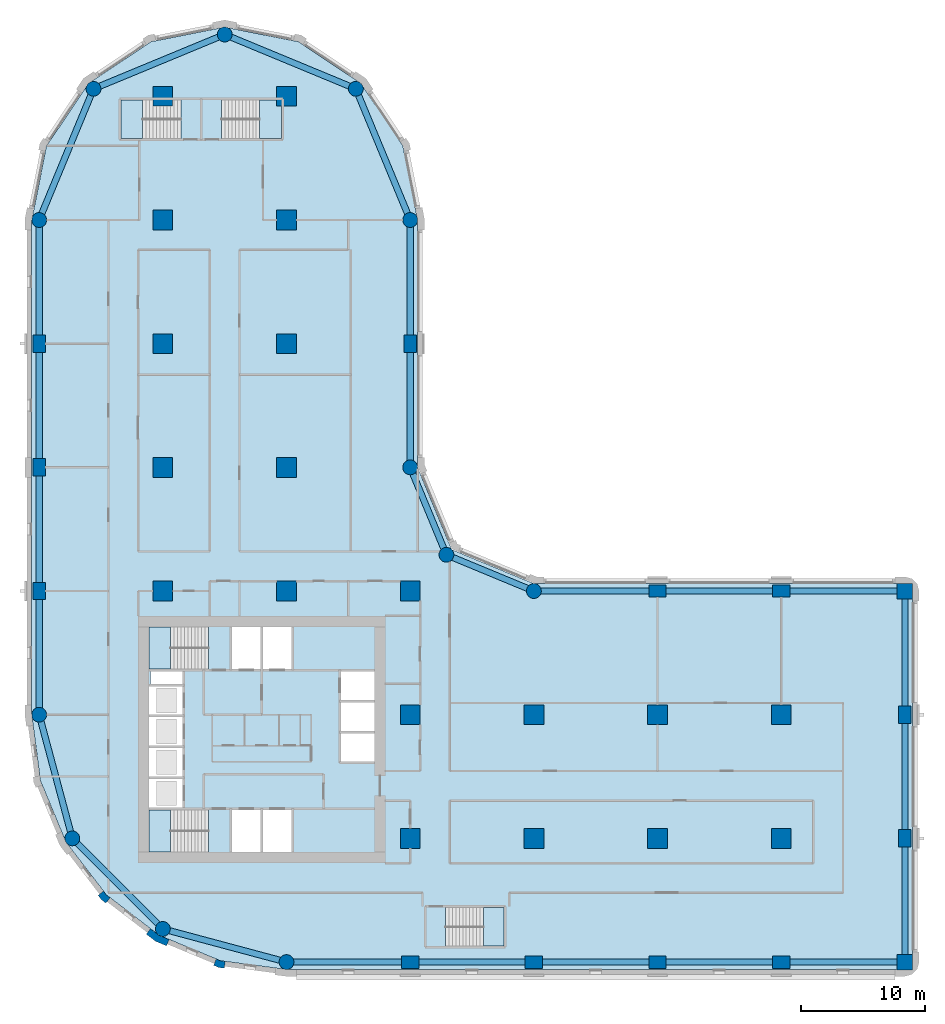
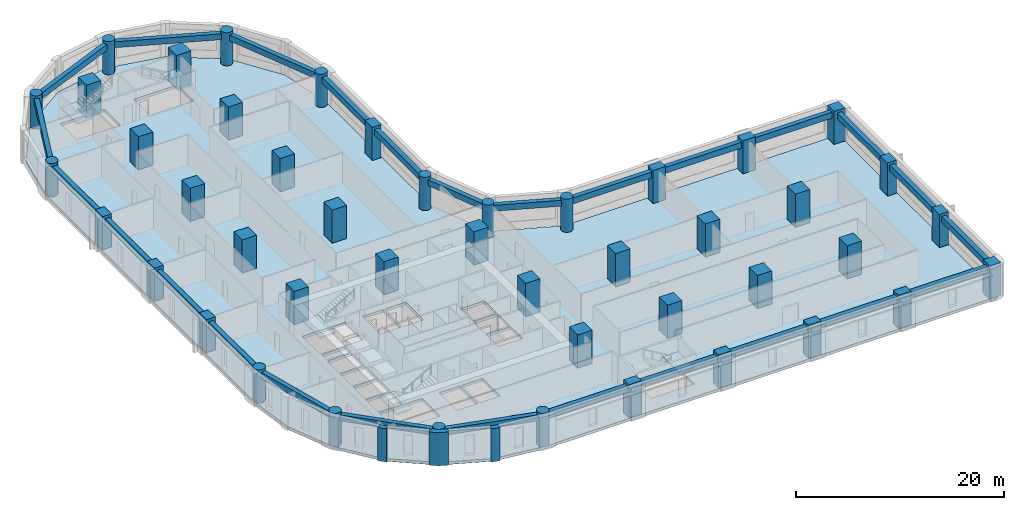
# One storey, part 1 of 10: 45 columns, 26 beams, 6 slabs, 3 walls, 5 elements without a shape of their own.
"""IFC4 building model written with IfcOpenShell, lengths in metres."""

from ifc_helpers import new_model, si_unit, direction, frame, origin, origin_2d, place, context, subcontext, project, spatial, polyline, rectangle, circle, outline, extrude, material, layer, layer_set, material_profile, profile_set, type_object, element, aggregate, save


model = new_model("IFC4")

# Units and contexts
model_context = context("Model", 3, precision=1e-05, world=origin(), true_north=direction((0.0, 1.0)))
body_context = subcontext(model_context, "Body", "Model", "MODEL_VIEW")
ifc_project = project(units=[si_unit("LENGTHUNIT", "METRE"), si_unit("AREAUNIT", "SQUARE_METRE"), si_unit("VOLUMEUNIT", "CUBIC_METRE"), si_unit("PLANEANGLEUNIT", "RADIAN"), si_unit("MASSUNIT", "GRAM", prefix="KILO")], contexts=[model_context])

# Site, building, storey
site_placement = place(None, origin())
site = spatial("IfcSite", under=ifc_project, at=site_placement, CompositionType="ELEMENT")
building_placement = place(site_placement, origin())
building = spatial("IfcBuilding", under=site, at=building_placement, Name="Qaws Garden Tower", CompositionType="ELEMENT")
storey_placement = place(building_placement, frame((0.0, 0.0, 15.89990234375)))
storey = spatial("IfcBuildingStorey", under=building, at=storey_placement, Name="L03", CompositionType="ELEMENT", Elevation=15.89990234375)

# Columns
ifc_material_1 = material(Name="Concrete C80", Category="concrete")
ifc_material_profile_1 = material_profile(ifc_material_1, rectangle(XDim=1.25, YDim=1.25, at=origin_2d()), Name="RC 1250x1250")
ifc_profile_set_1 = profile_set([ifc_material_profile_1], Name="Concrete C80")
column_type_1 = type_object("IfcColumnType", Name="Column RC 1250x1250 C80", PredefinedType="COLUMN", material=ifc_profile_set_1)
for number, where, z_axis, x_axis, name in (
    (1, (70.0, 0.0, 0.0), (0.0, 0.0, 1.0), (1.0, 0.0, 0.0), "Column L03-006"),
    (2, (70.0, 30.0, 0.0), (0.0, 0.0, 1.0), (1.0, 0.0, 0.0), "Column L03-009"),
):
    element("IfcColumn", number, at=place(storey_placement, frame(where, z_axis=z_axis, x_axis=x_axis)), inside=storey, type_object=column_type_1, Name=name, PredefinedType="COLUMN", context=body_context, shape_type="SweptSolid", body=[
        extrude(rectangle(XDim=1.25, YDim=1.25, at=origin_2d()), origin(), (0.0, 0.0, 1.0), 3.900146484375),
    ])
ifc_material_2 = material(Name="Concrete C80", Category="concrete")
ifc_material_profile_2 = material_profile(ifc_material_2, rectangle(XDim=1.39990234375, YDim=1.0, at=origin_2d()), Name="RC 1400x1000")
ifc_profile_set_2 = profile_set([ifc_material_profile_2], Name="Concrete C80")
column_type_2 = type_object("IfcColumnType", Name="Column RC 1400x1000 C80", PredefinedType="COLUMN", material=ifc_profile_set_2)
for number, where, z_axis, x_axis, name in (
    (3, (30.0, 0.0, 0.0), (0.0, 0.0, 1.0), (1.0, 0.0, 0.0), "Column L03-002"),
    (4, (40.0, 0.0, 0.0), (0.0, 0.0, 1.0), (1.0, 0.0, 0.0), "Column L03-003"),
    (5, (50.0, 0.0, 0.0), (0.0, 0.0, 1.0), (1.0, 0.0, 0.0), "Column L03-004"),
    (6, (60.0, 0.0, 0.0), (0.0, 0.0, 1.0), (1.0, 0.0, 0.0), "Column L03-005"),
    (7, (70.0, 10.0, 0.0), (0.0, 0.0, 1.0), (0.0, 1.0, 0.0), "Column L03-007"),
    (8, (70.0, 20.0, 0.0), (0.0, 0.0, 1.0), (0.0, 1.0, 0.0), "Column L03-008"),
    (9, (60.0, 30.0, 0.0), (0.0, 0.0, 1.0), (1.0, 0.0, 0.0), "Column L03-010"),
    (10, (50.0, 30.0, 0.0), (0.0, 0.0, 1.0), (1.0, 0.0, 0.0), "Column L03-011"),
    (11, (30.0, 50.0, 0.0), (0.0, 0.0, 1.0), (0.0, 1.0, 0.0), "Column L03-015"),
    (12, (0.0, 50.0, 0.0), (0.0, 0.0, 1.0), (0.0, 1.0, 0.0), "Column L03-021"),
    (13, (0.0, 40.0, 0.0), (0.0, 0.0, 1.0), (0.0, 1.0, 0.0), "Column L03-022"),
    (14, (0.0, 30.0, 0.0), (0.0, 0.0, 1.0), (0.0, 1.0, 0.0), "Column L03-023"),
):
    element("IfcColumn", number, at=place(storey_placement, frame(where, z_axis=z_axis, x_axis=x_axis)), inside=storey, type_object=column_type_2, Name=name, PredefinedType="COLUMN", context=body_context, shape_type="SweptSolid", body=[
        extrude(rectangle(XDim=1.39990234375, YDim=1.0, at=origin_2d()), origin(), (0.0, 0.0, 1.0), 3.900146484375),
    ])
ifc_material_3 = material(Name="Concrete C80", Category="concrete")
ifc_material_profile_3 = material_profile(ifc_material_3, rectangle(XDim=1.60009765625, YDim=1.60009765625, at=origin_2d()), Name="RC 1600x1600")
ifc_profile_set_3 = profile_set([ifc_material_profile_3], Name="Concrete C80")
column_type_3 = type_object("IfcColumnType", Name="Column RC 1600x1600 C80", PredefinedType="COLUMN", material=ifc_profile_set_3)
for number, where, z_axis, x_axis, name in (
    (15, (10.0, 30.0, 0.0), (0.0, 0.0, 1.0), (1.0, 0.0, 0.0), "Column L03-027"),
    (16, (10.0, 40.0, 0.0), (0.0, 0.0, 1.0), (1.0, 0.0, 0.0), "Column L03-028"),
    (17, (10.0, 50.0, 0.0), (0.0, 0.0, 1.0), (1.0, 0.0, 0.0), "Column L03-029"),
    (18, (10.0, 60.0, 0.0), (0.0, 0.0, 1.0), (1.0, 0.0, 0.0), "Column L03-030"),
    (19, (10.0, 70.0, 0.0), (0.0, 0.0, 1.0), (1.0, 0.0, 0.0), "Column L03-031"),
    (20, (20.0, 30.0, 0.0), (0.0, 0.0, 1.0), (1.0, 0.0, 0.0), "Column L03-032"),
    (21, (20.0, 40.0, 0.0), (0.0, 0.0, 1.0), (1.0, 0.0, 0.0), "Column L03-033"),
    (22, (20.0, 50.0, 0.0), (0.0, 0.0, 1.0), (1.0, 0.0, 0.0), "Column L03-034"),
    (23, (20.0, 60.0, 0.0), (0.0, 0.0, 1.0), (1.0, 0.0, 0.0), "Column L03-035"),
    (24, (20.0, 70.0, 0.0), (0.0, 0.0, 1.0), (1.0, 0.0, 0.0), "Column L03-036"),
    (25, (30.0, 10.0, 0.0), (0.0, 0.0, 1.0), (1.0, 0.0, 0.0), "Column L03-037"),
    (26, (30.0, 20.0, 0.0), (0.0, 0.0, 1.0), (1.0, 0.0, 0.0), "Column L03-038"),
    (27, (30.0, 30.0, 0.0), (0.0, 0.0, 1.0), (1.0, 0.0, 0.0), "Column L03-039"),
    (28, (40.0, 10.0, 0.0), (0.0, 0.0, 1.0), (1.0, 0.0, 0.0), "Column L03-040"),
    (29, (40.0, 20.0, 0.0), (0.0, 0.0, 1.0), (1.0, 0.0, 0.0), "Column L03-041"),
    (30, (50.0, 10.0, 0.0), (0.0, 0.0, 1.0), (1.0, 0.0, 0.0), "Column L03-042"),
    (31, (50.0, 20.0, 0.0), (0.0, 0.0, 1.0), (1.0, 0.0, 0.0), "Column L03-043"),
    (32, (60.0, 10.0, 0.0), (0.0, 0.0, 1.0), (1.0, 0.0, 0.0), "Column L03-044"),
    (33, (60.0, 20.0, 0.0), (0.0, 0.0, 1.0), (1.0, 0.0, 0.0), "Column L03-045"),
):
    element("IfcColumn", number, at=place(storey_placement, frame(where, z_axis=z_axis, x_axis=x_axis)), inside=storey, type_object=column_type_3, Name=name, PredefinedType="COLUMN", context=body_context, shape_type="SweptSolid", body=[
        extrude(rectangle(XDim=1.60009765625, YDim=1.60009765625, at=origin_2d()), origin(), (0.0, 0.0, 1.0), 3.900146484375),
    ])
ifc_material_4 = material(Name="Concrete C80", Category="concrete")
ifc_material_profile_4 = material_profile(ifc_material_4, circle(Radius=0.60009765625, at=origin_2d()), Name="RC D1200")
ifc_profile_set_4 = profile_set([ifc_material_profile_4], Name="Concrete C80")
column_type_4 = type_object("IfcColumnType", Name="Column RC D1200 C80", PredefinedType="COLUMN", material=ifc_profile_set_4)
for number, where, z_axis, x_axis, name in (
    (34, (20.0, 0.0, 0.0), (0.0, 0.0, 1.0), (1.0, 0.0, 0.0), "Column L03-001"),
    (35, (40.0, 30.0, 0.0), (0.0, 0.0, 1.0), (1.0, 0.0, 0.0), "Column L03-012"),
    (36, (32.928955078125, 32.928955078125, 0.0), (0.0, 0.0, 1.0), (1.0, 0.0, 0.0), "Column L03-013"),
    (37, (30.0, 40.0, 0.0), (0.0, 0.0, 1.0), (1.0, 0.0, 0.0), "Column L03-014"),
    (38, (30.0, 60.0, 0.0), (0.0, 0.0, 1.0), (1.0, 0.0, 0.0), "Column L03-016"),
    (39, (25.606689453125, 70.606689453125, 0.0), (0.0, 0.0, 1.0), (1.0, 0.0, 0.0), "Column L03-017"),
    (40, (15.0, 75.0, 0.0), (0.0, 0.0, 1.0), (1.0, 0.0, 0.0), "Column L03-018"),
    (41, (4.393310546875, 70.606689453125, 0.0), (0.0, 0.0, 1.0), (1.0, 0.0, 0.0), "Column L03-019"),
    (42, (0.0, 60.0, 0.0), (0.0, 0.0, 1.0), (1.0, 0.0, 0.0), "Column L03-020"),
    (43, (0.0, 20.0, 0.0), (0.0, 0.0, 1.0), (1.0, 0.0, 0.0), "Column L03-024"),
    (44, (2.679443359375, 10.0, 0.0), (0.0, 0.0, 1.0), (1.0, 0.0, 0.0), "Column L03-025"),
    (45, (10.0, 2.679443359375, 0.0), (0.0, 0.0, 1.0), (1.0, 0.0, 0.0), "Column L03-026"),
):
    element("IfcColumn", number, at=place(storey_placement, frame(where, z_axis=z_axis, x_axis=x_axis)), inside=storey, type_object=column_type_4, Name=name, PredefinedType="COLUMN", context=body_context, shape_type="SweptSolid", body=[
        extrude(circle(Radius=0.60009765625, at=origin_2d()), origin(), (0.0, 0.0, 1.0), 3.900146484375),
    ])

# Beams
ifc_material_5 = material(Name="Concrete C45", Category="concrete")
ifc_material_profile_5 = material_profile(ifc_material_5, rectangle(XDim=0.5, YDim=0.699951171875, at=origin_2d()), Name="RC 500x700")
ifc_profile_set_5 = profile_set([ifc_material_profile_5], Name="Concrete C45")
beam_type = type_object("IfcBeamType", Name="Spandrel beam RC 500x700 C45", PredefinedType="SPANDREL", material=ifc_profile_set_5)
for number, where, z_axis, x_axis, name in (
    (46, (20.0, 0.0, 3.22998046875), (1.0, 0.0, 0.0), (0.0, 1.0, 0.0), "Spandrel beam L03-001"),
    (47, (30.0, 0.0, 3.22998046875), (1.0, 0.0, 0.0), (0.0, 1.0, 0.0), "Spandrel beam L03-002"),
    (48, (40.0, 0.0, 3.22998046875), (1.0, 0.0, 0.0), (0.0, 1.0, 0.0), "Spandrel beam L03-003"),
    (49, (50.0, 0.0, 3.22998046875), (1.0, 0.0, 0.0), (0.0, 1.0, 0.0), "Spandrel beam L03-004"),
    (50, (60.0, 0.0, 3.22998046875), (1.0, 0.0, 0.0), (0.0, 1.0, 0.0), "Spandrel beam L03-005"),
    (51, (70.0, 0.0, 3.22998046875), (0.0, 1.0, 0.0), (-1.0, 0.0, 0.0), "Spandrel beam L03-006"),
    (52, (70.0, 10.0, 3.22998046875), (0.0, 1.0, 0.0), (-1.0, 0.0, 0.0), "Spandrel beam L03-007"),
    (53, (70.0, 20.0, 3.22998046875), (0.0, 1.0, 0.0), (-1.0, 0.0, 0.0), "Spandrel beam L03-008"),
    (54, (70.0, 30.0, 3.22998046875), (-1.0, 0.0, 0.0), (0.0, -1.0, 0.0), "Spandrel beam L03-009"),
    (55, (60.0, 30.0, 3.22998046875), (-1.0, 0.0, 0.0), (0.0, -1.0, 0.0), "Spandrel beam L03-010"),
    (56, (50.0, 30.0, 3.22998046875), (-1.0, 0.0, 0.0), (0.0, -1.0, 0.0), "Spandrel beam L03-011"),
):
    element("IfcBeam", number, at=place(storey_placement, frame(where, z_axis=z_axis, x_axis=x_axis)), inside=storey, type_object=beam_type, Name=name, PredefinedType="SPANDREL", context=body_context, shape_type="SweptSolid", body=[
        extrude(rectangle(XDim=0.5, YDim=0.699951171875, at=origin_2d()), origin(), (0.0, 0.0, 1.0), 10.0),
    ])
for number, where, z_axis, x_axis, name in (
    (57, (40.0, 30.0, 3.22998046875), (-0.923878037141, 0.382687042488, 0.0), (-0.382687042488, -0.923878037141, 0.0), "Spandrel beam L03-012"),
    (58, (32.928955078125, 32.928955078125, 3.22998046875), (-0.382687042488, 0.923878037141, 0.0), (-0.923878037141, -0.382687042488, 0.0), "Spandrel beam L03-013"),
):
    element("IfcBeam", number, at=place(storey_placement, frame(where, z_axis=z_axis, x_axis=x_axis)), inside=storey, type_object=beam_type, Name=name, PredefinedType="SPANDREL", context=body_context, shape_type="SweptSolid", body=[
        extrude(rectangle(XDim=0.5, YDim=0.699951171875, at=origin_2d()), origin(), (0.0, 0.0, 1.0), 7.653564453125),
    ])
for number, where, z_axis, x_axis, name in (
    (59, (30.0, 40.0, 3.22998046875), (0.0, 1.0, 0.0), (-1.0, 0.0, 0.0), "Spandrel beam L03-014"),
    (60, (30.0, 50.0, 3.22998046875), (0.0, 1.0, 0.0), (-1.0, 0.0, 0.0), "Spandrel beam L03-015"),
):
    element("IfcBeam", number, at=place(storey_placement, frame(where, z_axis=z_axis, x_axis=x_axis)), inside=storey, type_object=beam_type, Name=name, PredefinedType="SPANDREL", context=body_context, shape_type="SweptSolid", body=[
        extrude(rectangle(XDim=0.5, YDim=0.699951171875, at=origin_2d()), origin(), (0.0, 0.0, 1.0), 10.0),
    ])
for number, where, z_axis, x_axis, name in (
    (61, (30.0, 60.0, 3.22998046875), (-0.382674207535, 0.923883353507, 0.0), (-0.923883353507, -0.382674207535, 0.0), "Spandrel beam L03-016"),
    (62, (25.606689453125, 70.606689453125, 3.22998046875), (-0.923883353507, 0.382674207535, 0.0), (-0.382674207535, -0.923883353507, 0.0), "Spandrel beam L03-017"),
    (63, (15.0, 75.0, 3.22998046875), (-0.923883353507, -0.382674207535, 0.0), (0.382674207535, -0.923883353507, 0.0), "Spandrel beam L03-018"),
    (64, (4.393310546875, 70.606689453125, 3.22998046875), (-0.382674207535, -0.923883353507, 0.0), (0.923883353507, -0.382674207535, 0.0), "Spandrel beam L03-019"),
):
    element("IfcBeam", number, at=place(storey_placement, frame(where, z_axis=z_axis, x_axis=x_axis)), inside=storey, type_object=beam_type, Name=name, PredefinedType="SPANDREL", context=body_context, shape_type="SweptSolid", body=[
        extrude(rectangle(XDim=0.5, YDim=0.699951171875, at=origin_2d()), origin(), (0.0, 0.0, 1.0), 11.48046875),
    ])
for number, where, z_axis, x_axis, name in (
    (65, (0.0, 60.0, 3.22998046875), (0.0, -1.0, 0.0), (1.0, 0.0, 0.0), "Spandrel beam L03-020"),
    (66, (0.0, 50.0, 3.22998046875), (0.0, -1.0, 0.0), (1.0, 0.0, 0.0), "Spandrel beam L03-021"),
    (67, (0.0, 40.0, 3.22998046875), (0.0, -1.0, 0.0), (1.0, 0.0, 0.0), "Spandrel beam L03-022"),
    (68, (0.0, 30.0, 3.22998046875), (0.0, -1.0, 0.0), (1.0, 0.0, 0.0), "Spandrel beam L03-023"),
):
    element("IfcBeam", number, at=place(storey_placement, frame(where, z_axis=z_axis, x_axis=x_axis)), inside=storey, type_object=beam_type, Name=name, PredefinedType="SPANDREL", context=body_context, shape_type="SweptSolid", body=[
        extrude(rectangle(XDim=0.5, YDim=0.699951171875, at=origin_2d()), origin(), (0.0, 0.0, 1.0), 10.0),
    ])
for number, where, z_axis, x_axis, name in (
    (69, (0.0, 20.0, 3.22998046875), (0.25881466832, -0.965926999034, 0.0), (0.965926999034, 0.25881466832, 0.0), "Spandrel beam L03-024"),
    (70, (2.679443359375, 10.0, 3.22998046875), (0.707106781187, -0.707106781187, 0.0), (0.707106781187, 0.707106781187, 0.0), "Spandrel beam L03-025"),
    (71, (10.0, 2.679443359375, 3.22998046875), (0.965926999034, -0.25881466832, 0.0), (0.25881466832, 0.965926999034, 0.0), "Spandrel beam L03-026"),
):
    element("IfcBeam", number, at=place(storey_placement, frame(where, z_axis=z_axis, x_axis=x_axis)), inside=storey, type_object=beam_type, Name=name, PredefinedType="SPANDREL", context=body_context, shape_type="SweptSolid", body=[
        extrude(rectangle(XDim=0.5, YDim=0.699951171875, at=origin_2d()), origin(), (0.0, 0.0, 1.0), 10.352783203125),
    ])

# Slab
ifc_material_6 = material(Name="Concrete C40", Category="concrete")
ifc_layer_1 = layer(ifc_material_6, 0.320068359375)
ifc_layer_set_1 = layer_set([ifc_layer_1], Name="Concrete C40")
slab_type_1 = type_object("IfcSlabType", Name="Floor slab 320 C40", PredefinedType="FLOOR", material=ifc_layer_set_1)
slab_1_placement = place(storey_placement, frame((0.0, 0.0, -0.31982421875)))
element("IfcSlab", 72, at=slab_1_placement, inside=storey, type_object=slab_type_1, Name="Floor slab L03", PredefinedType="FLOOR", context=body_context, shape_type="SweptSolid", body=[
    extrude(outline(polyline([(0.101806640625, 14.668212890625), (-0.60009765625, 20.0), (-0.60009765625, 30.60009765625), (-0.60009765625, 60.0), (-0.60009765625, 60.0), (0.58740234375, 65.969970703125), (3.968994140625, 71.031005859375), (9.030029296875, 74.41259765625), (15.0, 75.60009765625), (20.969970703125, 74.41259765625), (26.031005859375, 71.031005859375), (29.41259765625, 65.969970703125), (30.60009765625, 60.0), (30.60009765625, 40.0), (33.353271484375, 33.353271484375), (40.0, 30.60009765625), (70.0, 30.60009765625), (70.42431640625, 30.42431640625), (70.60009765625, 30.0), (70.60009765625, 0.0), (70.42431640625, -0.42431640625), (70.0, -0.60009765625), (30.60009765625, -0.60009765625), (20.0, -0.60009765625), (14.668212890625, 0.101806640625), (9.699951171875, 2.159912109375), (5.43359375, 5.43359375), (2.159912109375, 9.699951171875), (0.101806640625, 14.668212890625)]), holes=[polyline([(13.699462890625, 12.300048828125), (8.89990234375, 12.300048828125), (8.89990234375, 8.89990234375), (13.699462890625, 8.89990234375), (13.699462890625, 12.300048828125)]), polyline([(17.89990234375, 12.300048828125), (15.60009765625, 12.300048828125), (15.60009765625, 8.89990234375), (17.89990234375, 8.89990234375), (17.89990234375, 12.300048828125)]), polyline([(11.60009765625, 14.800048828125), (8.89990234375, 14.800048828125), (8.89990234375, 12.5), (11.60009765625, 12.5), (11.60009765625, 14.800048828125)]), polyline([(11.60009765625, 17.300048828125), (8.89990234375, 17.300048828125), (8.89990234375, 15.0), (11.60009765625, 15.0), (11.60009765625, 17.300048828125)]), polyline([(11.60009765625, 19.800048828125), (8.89990234375, 19.800048828125), (8.89990234375, 17.5), (11.60009765625, 17.5), (11.60009765625, 19.800048828125)]), polyline([(11.60009765625, 22.300048828125), (8.89990234375, 22.300048828125), (8.89990234375, 20.0), (11.60009765625, 20.0), (11.60009765625, 22.300048828125)]), polyline([(11.60009765625, 23.5), (9.0, 23.5), (9.0, 22.5), (11.60009765625, 22.5), (11.60009765625, 23.5)]), polyline([(13.699462890625, 27.10009765625), (8.89990234375, 27.10009765625), (8.89990234375, 23.699951171875), (13.699462890625, 23.699951171875), (13.699462890625, 27.10009765625)]), polyline([(11.449462890625, 69.699951171875), (6.60009765625, 69.699951171875), (6.60009765625, 66.60009765625), (11.449462890625, 66.60009765625), (11.449462890625, 69.699951171875)]), polyline([(37.60009765625, 4.39990234375), (32.8505859375, 4.39990234375), (32.8505859375, 1.300048828125), (37.60009765625, 1.300048828125), (37.60009765625, 4.39990234375)]), polyline([(20.39990234375, 12.300048828125), (18.10009765625, 12.300048828125), (18.10009765625, 8.89990234375), (20.39990234375, 8.89990234375), (20.39990234375, 12.300048828125)]), polyline([(27.10009765625, 18.5), (24.39990234375, 18.5), (24.39990234375, 16.199951171875), (27.10009765625, 16.199951171875), (27.10009765625, 18.5)]), polyline([(27.10009765625, 21.0), (24.39990234375, 21.0), (24.39990234375, 18.699951171875), (27.10009765625, 18.699951171875), (27.10009765625, 21.0)]), polyline([(27.10009765625, 23.5), (24.39990234375, 23.5), (24.39990234375, 21.199951171875), (27.10009765625, 21.199951171875), (27.10009765625, 23.5)]), polyline([(17.89990234375, 27.10009765625), (15.60009765625, 27.10009765625), (15.60009765625, 23.699951171875), (17.89990234375, 23.699951171875), (17.89990234375, 27.10009765625)]), polyline([(20.39990234375, 23.699951171875), (20.39990234375, 27.10009765625), (18.10009765625, 27.10009765625), (18.10009765625, 23.699951171875), (20.39990234375, 23.699951171875)]), polyline([(19.60009765625, 66.60009765625), (19.60009765625, 69.699951171875), (14.75048828125, 69.699951171875), (14.75048828125, 66.60009765625), (19.60009765625, 66.60009765625)])]), origin(), (0.0, 0.0, 1.0), 0.31982421875),
])

# Stair, slab
ifc_material_7 = material(Name="Concrete C40", Category="concrete")
stair_type_1 = type_object("IfcStairType", Name="Exit stair 1500", PredefinedType="HALF_TURN_STAIR", material=ifc_material_7)
placement_1 = place(storey_placement, origin())
stair_1 = element("IfcStair", 73, at=placement_1, inside=storey, type_object=stair_type_1, Name="Stair 1", PredefinedType="HALF_TURN_STAIR")
ifc_material_8 = material(Name="Concrete C40", Category="concrete")
ifc_layer_2 = layer(ifc_material_8, 0.199951171875)
ifc_layer_set_2 = layer_set([ifc_layer_2], Name="Concrete C40")
slab_type_2 = type_object("IfcSlabType", Name="Stair landing 200", PredefinedType="LANDING", material=ifc_layer_set_2)
placement_2 = place(storey_placement, frame((0.0, 0.0, 1.75)))
slab_2 = element("IfcSlab", 74, at=placement_2, type_object=slab_type_2, Name="ST1 landing 1", PredefinedType="LANDING", context=body_context, shape_type="SweptSolid", body=[
    extrude(outline(polyline([(8.89990234375, 8.89990234375), (10.6201171875, 8.89990234375), (10.6201171875, 12.300048828125), (8.89990234375, 12.300048828125), (8.89990234375, 8.89990234375)])), origin(), (0.0, 0.0, 1.0), 0.2001953125),
])
aggregate(stair_1, [slab_2])

stair_2 = element("IfcStair", 75, at=placement_1, inside=storey, type_object=stair_type_1, Name="Stair 4", PredefinedType="HALF_TURN_STAIR")
slab_3 = element("IfcSlab", 76, at=placement_2, type_object=slab_type_2, Name="ST4 landing 1", PredefinedType="LANDING", context=body_context, shape_type="SweptSolid", body=[
    extrude(outline(polyline([(8.89990234375, 23.699951171875), (10.6201171875, 23.699951171875), (10.6201171875, 27.10009765625), (8.89990234375, 27.10009765625), (8.89990234375, 23.699951171875)])), origin(), (0.0, 0.0, 1.0), 0.2001953125),
])
aggregate(stair_2, [slab_3])

ifc_material_9 = material(Name="Concrete C40", Category="concrete")
stair_type_2 = type_object("IfcStairType", Name="Exit stair 1350", PredefinedType="HALF_TURN_STAIR", material=ifc_material_9)
stair_3 = element("IfcStair", 77, at=placement_1, inside=storey, type_object=stair_type_2, Name="Stair 5", PredefinedType="HALF_TURN_STAIR")
slab_4 = element("IfcSlab", 78, at=placement_2, type_object=slab_type_2, Name="ST5 landing 1", PredefinedType="LANDING", context=body_context, shape_type="SweptSolid", body=[
    extrude(outline(polyline([(35.929931640625, 1.300048828125), (37.60009765625, 1.300048828125), (37.60009765625, 4.39990234375), (35.929931640625, 4.39990234375), (35.929931640625, 1.300048828125)])), origin(), (0.0, 0.0, 1.0), 0.2001953125),
])
aggregate(stair_3, [slab_4])

stair_4 = element("IfcStair", 79, at=placement_1, inside=storey, type_object=stair_type_2, Name="Stair 6", PredefinedType="HALF_TURN_STAIR")
slab_5 = element("IfcSlab", 80, at=placement_2, type_object=slab_type_2, Name="ST6 landing 1", PredefinedType="LANDING", context=body_context, shape_type="SweptSolid", body=[
    extrude(outline(polyline([(6.60009765625, 66.60009765625), (8.3701171875, 66.60009765625), (8.3701171875, 69.699951171875), (6.60009765625, 69.699951171875), (6.60009765625, 66.60009765625)])), origin(), (0.0, 0.0, 1.0), 0.2001953125),
])
aggregate(stair_4, [slab_5])

stair_5 = element("IfcStair", 81, at=placement_1, inside=storey, type_object=stair_type_2, Name="Stair 7", PredefinedType="HALF_TURN_STAIR")
slab_6 = element("IfcSlab", 82, at=placement_2, type_object=slab_type_2, Name="ST7 landing 1", PredefinedType="LANDING", context=body_context, shape_type="SweptSolid", body=[
    extrude(outline(polyline([(17.830078125, 66.60009765625), (19.60009765625, 66.60009765625), (19.60009765625, 69.699951171875), (17.830078125, 69.699951171875), (17.830078125, 66.60009765625)])), origin(), (0.0, 0.0, 1.0), 0.2001953125),
])
aggregate(stair_5, [slab_6])

# Walls
ifc_material_10 = material(Name="Clay facing brick masonry", Category="masonry")
ifc_layer_3 = layer(ifc_material_10, 0.550048828125)
ifc_layer_set_3 = layer_set([ifc_layer_3], Name="Clay facing brick masonry")
wall_type_1 = type_object("IfcWallType", Name="Brick kink pier 550 x 600", PredefinedType="SOLIDWALL", material=ifc_layer_set_3)
element("IfcWall", 83, at=placement_1, inside=storey, type_object=wall_type_1, Name="E-L03-pier-30", PredefinedType="SOLIDWALL", context=body_context, shape_type="SweptSolid", body=[
    extrude(outline(polyline([(4.8818359375, 5.487060546875), (4.762939453125, 5.395751953125), (5.03759765625, 5.03759765625), (5.395751953125, 4.762939453125), (5.487060546875, 4.8818359375), (5.730712890625, 5.19921875), (5.429931640625, 5.429931640625), (5.19921875, 5.730712890625), (4.8818359375, 5.487060546875)])), origin(), (0.0, 0.0, 1.0), 3.900146484375),
])
element("IfcWall", 84, at=placement_1, inside=storey, type_object=wall_type_1, Name="E-L03-pier-32", PredefinedType="SOLIDWALL", context=body_context, shape_type="SweptSolid", body=[
    extrude(outline(polyline([(14.163818359375, -0.127685546875), (14.1064453125, -0.26611328125), (14.5234375, -0.43896484375), (14.970947265625, -0.497802734375), (14.990478515625, -0.34912109375), (15.042724609375, 0.04736328125), (14.6669921875, 0.096923828125), (14.31689453125, 0.241943359375), (14.163818359375, -0.127685546875)])), origin(), (0.0, 0.0, 1.0), 3.900146484375),
])
ifc_material_11 = material(Name="Clay facing brick masonry", Category="masonry")
ifc_layer_4 = layer(ifc_material_11, 0.550048828125)
ifc_layer_set_4 = layer_set([ifc_layer_4], Name="Clay facing brick masonry")
wall_type_2 = type_object("IfcWallType", Name="Brick pier 550 x 1600", PredefinedType="SOLIDWALL", material=ifc_layer_set_4)
element("IfcWall", 85, at=placement_1, inside=storey, type_object=wall_type_2, Name="E-L03-pier-31", PredefinedType="SOLIDWALL", context=body_context, shape_type="SweptSolid", body=[
    extrude(outline(polyline([(8.756591796875, 2.373046875), (8.665283203125, 2.254150390625), (9.419921875, 1.675048828125), (10.299072265625, 1.310791015625), (10.3564453125, 1.449462890625), (10.509521484375, 1.819091796875), (9.697509765625, 2.1552734375), (9.0, 2.6904296875), (8.756591796875, 2.373046875)])), origin(), (0.0, 0.0, 1.0), 3.900146484375),
])

save(model, "model.ifc")
